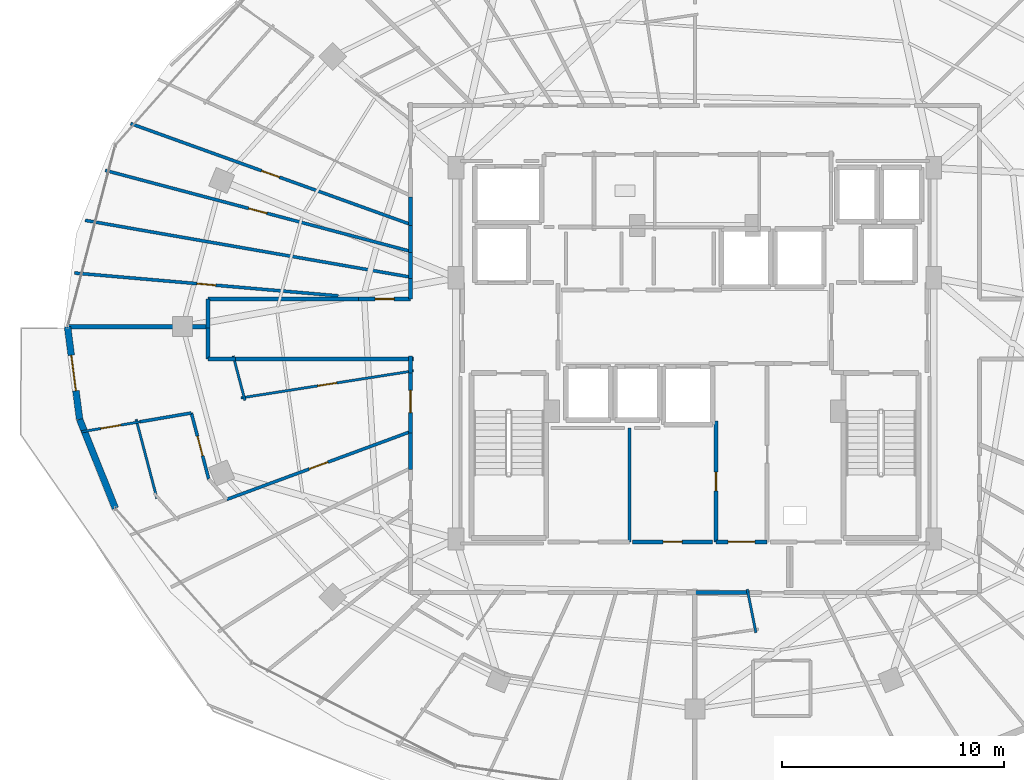
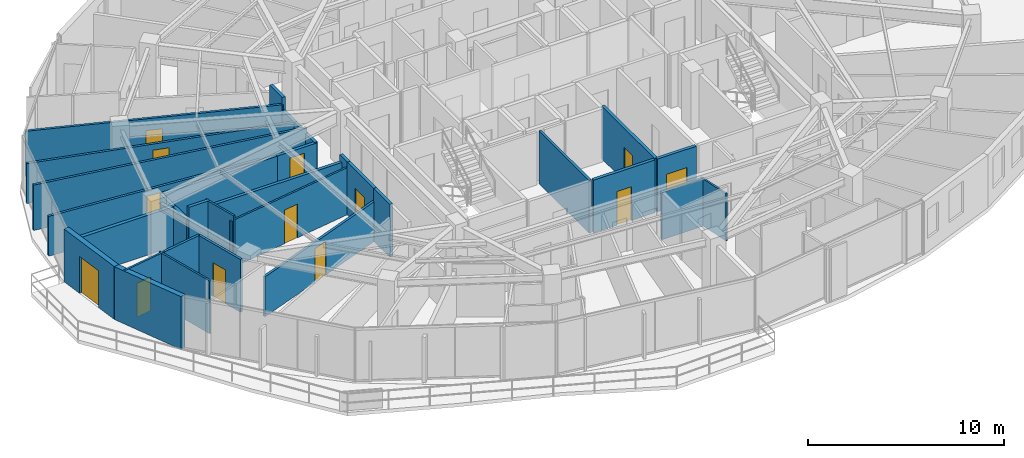
# One storey, part 25 of 33: 33 walls, 13 doors, 13 openings.
"""IFC4 building model written with IfcOpenShell, lengths in metres."""

from ifc_helpers import new_model, si_unit, direction, frame, frame_2d, origin, place, context, subcontext, project, spatial, rectangle, extrude, material, layer, layer_set, type_object, element, fill, save


model = new_model("IFC4")

# Units and contexts
model_context = context("Model", 3, precision=1e-05, world=origin(), true_north=direction((0.0, 1.0)))
body_context = subcontext(model_context, "Body", "Model", "MODEL_VIEW")
ifc_project = project(units=[si_unit("LENGTHUNIT", "METRE"), si_unit("AREAUNIT", "SQUARE_METRE"), si_unit("VOLUMEUNIT", "CUBIC_METRE"), si_unit("PLANEANGLEUNIT", "RADIAN"), si_unit("MASSUNIT", "GRAM", prefix="KILO")], contexts=[model_context])

# Site, building, storey
site_placement = place(None, origin())
site = spatial("IfcSite", under=ifc_project, at=site_placement, CompositionType="ELEMENT")
building_placement = place(site_placement, origin())
building = spatial("IfcBuilding", under=site, at=building_placement, Name="Vorneva Point Tower", CompositionType="ELEMENT")
storey_placement = place(building_placement, frame((0.0, 0.0, 200.10009765625)))
storey = spatial("IfcBuildingStorey", under=building, at=storey_placement, Name="L54", CompositionType="ELEMENT", Elevation=200.10009765625)

# Wall, opening, door
ifc_material_1 = material(Name="Precast concrete B50 (C40/50)", Category="concrete")
ifc_layer_1 = layer(ifc_material_1, 0.300048828125)
ifc_layer_set_1 = layer_set([ifc_layer_1], Name="Precast concrete B50 (C40/50)")
wall_type_1 = type_object("IfcWallType", Name="WL-EXT-300", PredefinedType="STANDARD", material=ifc_layer_set_1)
wall_1_placement = place(storey_placement, frame((9.77001953125, 26.0, 0.0), z_axis=(0.0, 0.0, 1.0), x_axis=(0.129147853268, -0.991625348605, 0.0)))
wall_1 = element("IfcWall", 1, at=wall_1_placement, inside=storey, type_object=wall_type_1, Name="L54 Pale-Metal Facade Spandrel Wall 09.1", PredefinedType="STANDARD", context=body_context, shape_type="SweptSolid", body=[
    extrude(rectangle(XDim=4.200439453125, YDim=0.300048828125, at=frame_2d((2.10009765625, 0.0))), origin(), (0.0, 0.0, 1.0), 3.289794921875),
])
opening_1_placement = place(wall_1_placement, frame((1.30029296875, 0.0, 0.0)))
opening_1 = element("IfcOpeningElement", 2, at=opening_1_placement, cuts=wall_1, Name="Opening BD-01", PredefinedType="OPENING", context=body_context, shape_type="SweptSolid", body=[
    extrude(rectangle(XDim=1.60009765625, YDim=2.300048828125, at=frame_2d((0.800048828125, 1.14990234375))), frame((0.0, 0.1650390625, 0.0), z_axis=(0.0, -1.0, 0.0), x_axis=(1.0, 0.0, 0.0)), (0.0, 0.0, 1.0), 0.329833984375),
])
ifc_material_2 = material(Name="Pale anodised aluminium", Category="aluminium")
door_type_1 = type_object("IfcDoorType", Name="DR-BAL-1600", OperationType="SLIDING_TO_LEFT", PredefinedType="DOOR", material=ifc_material_2)
door_1_placement = place(opening_1_placement, origin())
door_1 = element("IfcDoor", 3, at=door_1_placement, inside=storey, type_object=door_type_1, Name="L54 Balcony Terrace Access Door 09", OperationType="SLIDING_TO_LEFT", OverallHeight=2.300048828125, OverallWidth=1.60009765625, PredefinedType="DOOR", context=body_context, shape_type="SweptSolid", body=[
    extrude(rectangle(XDim=1.60009765625, YDim=2.300048828125, at=frame_2d((0.800048828125, 1.14990234375))), frame((0.0, 0.02490234375, 0.0), z_axis=(0.0, -1.0, 0.0), x_axis=(1.0, 0.0, 0.0)), (0.0, 0.0, 1.0), 0.050048828125),
])
fill(opening_1, door_1)

# Wall
wall_2_placement = place(storey_placement, frame((10.3125, 21.834716796875, 0.0), z_axis=(0.0, 0.0, 1.0), x_axis=(0.372268409848, -0.928125116043, 0.0)))
element("IfcWall", 4, at=wall_2_placement, inside=storey, type_object=wall_type_1, Name="L54 Pale-Metal Facade Spandrel Wall 09.2", PredefinedType="STANDARD", context=body_context, shape_type="SweptSolid", body=[
    extrude(rectangle(XDim=4.315185546875, YDim=0.300048828125, at=frame_2d((2.15771484375, 0.0))), origin(), (0.0, 0.0, 1.0), 3.289794921875),
])

# Wall, opening, door
ifc_material_3 = material(Name="Fire-rated acoustic gypsum stud partition", Category="gypsum")
ifc_layer_2 = layer(ifc_material_3, 0.110107421875)
ifc_layer_set_2 = layer_set([ifc_layer_2], Name="Fire-rated acoustic gypsum stud partition")
wall_type_2 = type_object("IfcWallType", Name="WL-PART-110", PredefinedType="PARTITIONING", material=ifc_layer_set_2)
wall_3_placement = place(storey_placement, frame((25.33837890625, 24.0146484375, 0.0), z_axis=(0.0, 0.0, 1.0), x_axis=(-0.987940229144, -0.154835731144, 0.0)))
wall_3 = element("IfcWall", 5, at=wall_3_placement, inside=storey, type_object=wall_type_2, Name="L54 Interior Partition 102", PredefinedType="PARTITIONING", context=body_context, shape_type="SweptSolid", body=[
    extrude(rectangle(XDim=7.85546875, YDim=0.110107421875, at=frame_2d((3.927734375, 0.0))), origin(), (0.0, 0.0, 1.0), 2.935791015625),
])
opening_2_placement = place(wall_3_placement, frame((3.502685546875, 0.0, 0.0)))
opening_2 = element("IfcOpeningElement", 6, at=opening_2_placement, cuts=wall_3, Name="Opening ID-02", PredefinedType="OPENING", context=body_context, shape_type="SweptSolid", body=[
    extrude(rectangle(XDim=0.85009765625, YDim=2.10009765625, at=frame_2d((0.425048828125, 1.050048828125))), frame((0.0, 0.06982421875, 0.0), z_axis=(0.0, -1.0, 0.0), x_axis=(1.0, 0.0, 0.0)), (0.0, 0.0, 1.0), 0.139892578125),
])
ifc_material_4 = material(Name="Engineered oak fire-rated door leaf", Category="wood")
door_type_2 = type_object("IfcDoorType", Name="DR-BATH-850", OperationType="NOTDEFINED", PredefinedType="DOOR", material=ifc_material_4)
door_2_placement = place(opening_2_placement, origin())
door_2 = element("IfcDoor", 7, at=door_2_placement, inside=storey, type_object=door_type_2, Name="L54 Door Living and Dining Room L54-03 / Bathroom L54-03", OperationType="SINGLE_SWING_LEFT", OverallHeight=2.10009765625, OverallWidth=0.85009765625, PredefinedType="DOOR", context=body_context, shape_type="SweptSolid", body=[
    extrude(rectangle(XDim=0.85009765625, YDim=2.10009765625, at=frame_2d((0.425048828125, 1.050048828125))), frame((0.0, 0.02490234375, 0.0), z_axis=(0.0, -1.0, 0.0), x_axis=(1.0, 0.0, 0.0)), (0.0, 0.0, 1.0), 0.050048828125),
])
fill(opening_2, door_2)

# Wall
wall_4_placement = place(storey_placement, frame((17.751708984375, 22.6845703125, 0.0), z_axis=(0.0, 0.0, 1.0), x_axis=(-0.254429402158, 0.967091350038, 0.0)))
element("IfcWall", 8, at=wall_4_placement, inside=storey, type_object=wall_type_2, Name="L54 Interior Partition 103", PredefinedType="PARTITIONING", context=body_context, shape_type="SweptSolid", body=[
    extrude(rectangle(XDim=2.06884765625, YDim=0.110107421875, at=frame_2d((1.034423828125, 0.0))), origin(), (0.0, 0.0, 1.0), 3.289794921875),
])

# Wall, opening, door
wall_5_placement = place(storey_placement, frame((10.39404296875, 21.271484375, 0.0), z_axis=(0.0, 0.0, 1.0), x_axis=(0.985656128296, 0.168766100722, 0.0)))
wall_5 = element("IfcWall", 9, at=wall_5_placement, inside=storey, type_object=wall_type_2, Name="L54 Interior Partition 104", PredefinedType="PARTITIONING", context=body_context, shape_type="SweptSolid", body=[
    extrude(rectangle(XDim=2.67333984375, YDim=0.110107421875, at=frame_2d((1.336669921875, 0.0))), origin(), (0.0, 0.0, 1.0), 3.289794921875),
])
opening_3_placement = place(wall_5_placement, frame((0.88671875, 0.0, 0.0)))
opening_3 = element("IfcOpeningElement", 10, at=opening_3_placement, cuts=wall_5, Name="Opening ID-01", PredefinedType="OPENING", context=body_context, shape_type="SweptSolid", body=[
    extrude(rectangle(XDim=0.89990234375, YDim=2.10009765625, at=frame_2d((0.449951171875, 1.050048828125))), frame((0.0, 0.06982421875, 0.0), z_axis=(0.0, -1.0, 0.0), x_axis=(1.0, 0.0, 0.0)), (0.0, 0.0, 1.0), 0.139892578125),
])
door_type_3 = type_object("IfcDoorType", Name="DR-ROOM-900", OperationType="NOTDEFINED", PredefinedType="DOOR", material=ifc_material_4)
door_3_placement = place(opening_3_placement, origin())
door_3 = element("IfcDoor", 11, at=door_3_placement, inside=storey, type_object=door_type_3, Name="L54 Door Living and Dining Room L54-03 / Kitchen L54-03", OperationType="SINGLE_SWING_RIGHT", OverallHeight=2.10009765625, OverallWidth=0.89990234375, PredefinedType="DOOR", context=body_context, shape_type="SweptSolid", body=[
    extrude(rectangle(XDim=0.89990234375, YDim=2.10009765625, at=frame_2d((0.449951171875, 1.050048828125))), frame((0.0, 0.02490234375, 0.0), z_axis=(0.0, -1.0, 0.0), x_axis=(1.0, 0.0, 0.0)), (0.0, 0.0, 1.0), 0.050048828125),
])
fill(opening_3, door_3)

# Walls
wall_6_placement = place(storey_placement, frame((13.79248046875, 18.2705078125, 0.0), z_axis=(0.0, 0.0, 1.0), x_axis=(-0.254271540361, 0.967132867688, 0.0)))
element("IfcWall", 12, at=wall_6_placement, inside=storey, type_object=wall_type_2, Name="L54 Interior Partition 110", PredefinedType="PARTITIONING", context=body_context, shape_type="SweptSolid", body=[
    extrude(rectangle(XDim=3.68505859375, YDim=0.110107421875, at=frame_2d((1.842529296875, 0.0))), origin(), (0.0, 0.0, 1.0), 3.289794921875),
])
wall_7_placement = place(storey_placement, frame((40.357666015625, 14.187255859375, 0.0), z_axis=(0.0, 0.0, 1.0), x_axis=(0.195313900905, -0.980740781304, 0.0)))
element("IfcWall", 13, at=wall_7_placement, inside=storey, type_object=wall_type_2, Name="L54 Interior Partition 134", PredefinedType="PARTITIONING", context=body_context, shape_type="SweptSolid", body=[
    extrude(rectangle(XDim=1.989990234375, YDim=0.110107421875, at=frame_2d((0.9951171875, 0.0))), origin(), (0.0, 0.0, 1.0), 2.935791015625),
])
ifc_layer_3 = layer(ifc_material_3, 0.139892578125)
ifc_layer_set_3 = layer_set([ifc_layer_3], Name="Fire-rated acoustic gypsum stud partition")
wall_type_3 = type_object("IfcWallType", Name="WL-PART-140", PredefinedType="PARTITIONING", material=ifc_layer_set_3)
wall_8_placement = place(storey_placement, frame((35.050048828125, 16.320068359375, 0.0), z_axis=(0.0, 0.0, 1.0), x_axis=(0.0, 1.0, 0.0)))
element("IfcWall", 14, at=wall_8_placement, inside=storey, type_object=wall_type_3, Name="L54 Interior Partition 026", PredefinedType="PARTITIONING", context=body_context, shape_type="SweptSolid", body=[
    extrude(rectangle(XDim=5.1298828125, YDim=0.139892578125, at=frame_2d((2.56494140625, 0.0))), origin(), (0.0, 0.0, 1.0), 3.289794921875),
])

# Wall, opening, door
wall_9_placement = place(storey_placement, frame((12.60888671875, 35.14111328125, 0.0), z_axis=(0.0, 0.0, 1.0), x_axis=(0.940877411069, -0.338747246985, 0.0)))
wall_9 = element("IfcWall", 15, at=wall_9_placement, inside=storey, type_object=wall_type_3, Name="L54 Interior Partition 097", PredefinedType="PARTITIONING", context=body_context, shape_type="SweptSolid", body=[
    extrude(rectangle(XDim=13.38232421875, YDim=0.139892578125, at=frame_2d((6.691162109375, 0.0))), origin(), (0.0, 0.0, 1.0), 2.823974609375),
])
opening_4_placement = place(wall_9_placement, frame((6.26611328125, 0.0, 0.0)))
opening_4 = element("IfcOpeningElement", 16, at=opening_4_placement, cuts=wall_9, Name="Opening ID-02", PredefinedType="OPENING", context=body_context, shape_type="SweptSolid", body=[
    extrude(rectangle(XDim=0.85009765625, YDim=2.10009765625, at=frame_2d((0.425048828125, 1.050048828125))), frame((0.0, 0.0849609375, 0.0), z_axis=(0.0, -1.0, 0.0), x_axis=(1.0, 0.0, 0.0)), (0.0, 0.0, 1.0), 0.169677734375),
])
door_4_placement = place(opening_4_placement, origin())
door_4 = element("IfcDoor", 17, at=door_4_placement, inside=storey, type_object=door_type_2, Name="L54 Access Door Master Bedroom L54-02.1", OperationType="SINGLE_SWING_LEFT", OverallHeight=2.10009765625, OverallWidth=0.85009765625, PredefinedType="DOOR", context=body_context, shape_type="SweptSolid", body=[
    extrude(rectangle(XDim=0.85009765625, YDim=2.10009765625, at=frame_2d((0.425048828125, 1.050048828125))), frame((0.0, 0.02490234375, 0.0), z_axis=(0.0, -1.0, 0.0), x_axis=(1.0, 0.0, 0.0)), (0.0, 0.0, 1.0), 0.050048828125),
])
fill(opening_4, door_4)

wall_10_placement = place(storey_placement, frame((11.465087890625, 33.035888671875, 0.0), z_axis=(0.0, 0.0, 1.0), x_axis=(0.966598137313, -0.256296782934, 0.0)))
wall_10 = element("IfcWall", 18, at=wall_10_placement, inside=storey, type_object=wall_type_3, Name="L54 Interior Partition 098", PredefinedType="PARTITIONING", context=body_context, shape_type="SweptSolid", body=[
    extrude(rectangle(XDim=14.20947265625, YDim=0.139892578125, at=frame_2d((7.104736328125, 0.0))), origin(), (0.0, 0.0, 1.0), 2.48193359375),
])
opening_5_placement = place(wall_10_placement, frame((6.6796875, 0.0, 0.0)))
opening_5 = element("IfcOpeningElement", 19, at=opening_5_placement, cuts=wall_10, Name="Opening ID-02", PredefinedType="OPENING", context=body_context, shape_type="SweptSolid", body=[
    extrude(rectangle(XDim=0.85009765625, YDim=2.10009765625, at=frame_2d((0.425048828125, 1.050048828125))), frame((0.0, 0.0849609375, 0.0), z_axis=(0.0, -1.0, 0.0), x_axis=(1.0, 0.0, 0.0)), (0.0, 0.0, 1.0), 0.169677734375),
])
door_5_placement = place(opening_5_placement, origin())
door_5 = element("IfcDoor", 20, at=door_5_placement, inside=storey, type_object=door_type_2, Name="L54 Access Door Bedroom L54-02.2", OperationType="SINGLE_SWING_RIGHT", OverallHeight=2.10009765625, OverallWidth=0.85009765625, PredefinedType="DOOR", context=body_context, shape_type="SweptSolid", body=[
    extrude(rectangle(XDim=0.85009765625, YDim=2.10009765625, at=frame_2d((0.425048828125, 1.050048828125))), frame((0.0, 0.02490234375, 0.0), z_axis=(0.0, -1.0, 0.0), x_axis=(1.0, 0.0, 0.0)), (0.0, 0.0, 1.0), 0.050048828125),
])
fill(opening_5, door_5)

# Wall
wall_11_placement = place(storey_placement, frame((10.56494140625, 30.7880859375, 0.0), z_axis=(0.0, 0.0, 1.0), x_axis=(0.985109541297, -0.171927867563, 0.0)))
element("IfcWall", 21, at=wall_11_placement, inside=storey, type_object=wall_type_3, Name="L54 Interior Partition 099", PredefinedType="PARTITIONING", context=body_context, shape_type="SweptSolid", body=[
    extrude(rectangle(XDim=14.856201171875, YDim=0.139892578125, at=frame_2d((7.42822265625, 0.0))), origin(), (0.0, 0.0, 1.0), 2.823974609375),
])

# Wall, opening, door
wall_12_placement = place(storey_placement, frame((10.0859375, 28.41796875, 0.0), z_axis=(0.0, 0.0, 1.0), x_axis=(0.996267232338, -0.08632266081, 0.0)))
wall_12 = element("IfcWall", 22, at=wall_12_placement, inside=storey, type_object=wall_type_3, Name="L54 Interior Partition 100", PredefinedType="PARTITIONING", context=body_context, shape_type="SweptSolid", body=[
    extrude(rectangle(XDim=11.90966796875, YDim=0.139892578125, at=frame_2d((5.954833984375, 0.0))), origin(), (0.0, 0.0, 1.0), 2.48193359375),
])
opening_6_placement = place(wall_12_placement, frame((5.52978515625, 0.0, 0.0)))
opening_6 = element("IfcOpeningElement", 23, at=opening_6_placement, cuts=wall_12, Name="Opening ID-02", PredefinedType="OPENING", context=body_context, shape_type="SweptSolid", body=[
    extrude(rectangle(XDim=0.85009765625, YDim=2.10009765625, at=frame_2d((0.425048828125, 1.050048828125))), frame((0.0, 0.0849609375, 0.0), z_axis=(0.0, -1.0, 0.0), x_axis=(1.0, 0.0, 0.0)), (0.0, 0.0, 1.0), 0.169677734375),
])
door_6_placement = place(opening_6_placement, origin())
door_6 = element("IfcDoor", 24, at=door_6_placement, inside=storey, type_object=door_type_2, Name="L54 Access Door Bedroom L54-02.4", OperationType="SINGLE_SWING_LEFT", OverallHeight=2.10009765625, OverallWidth=0.85009765625, PredefinedType="DOOR", context=body_context, shape_type="SweptSolid", body=[
    extrude(rectangle(XDim=0.85009765625, YDim=2.10009765625, at=frame_2d((0.425048828125, 1.050048828125))), frame((0.0, 0.02490234375, 0.0), z_axis=(0.0, -1.0, 0.0), x_axis=(1.0, 0.0, 0.0)), (0.0, 0.0, 1.0), 0.050048828125),
])
fill(opening_6, door_6)

wall_13_placement = place(storey_placement, frame((15.341064453125, 22.118896484375, 0.0), z_axis=(0.0, 0.0, 1.0), x_axis=(0.254462015144, -0.967082769389, 0.0)))
wall_13 = element("IfcWall", 25, at=wall_13_placement, inside=storey, type_object=wall_type_3, Name="L54 Interior Partition 105", PredefinedType="PARTITIONING", context=body_context, shape_type="SweptSolid", body=[
    extrude(rectangle(XDim=3.072998046875, YDim=0.139892578125, at=frame_2d((1.53662109375, 0.0))), origin(), (0.0, 0.0, 1.0), 3.289794921875),
])
opening_7_placement = place(wall_13_placement, frame((1.086669921875, 0.0, 0.0)))
opening_7 = element("IfcOpeningElement", 26, at=opening_7_placement, cuts=wall_13, Name="Opening ID-01", PredefinedType="OPENING", context=body_context, shape_type="SweptSolid", body=[
    extrude(rectangle(XDim=0.89990234375, YDim=2.10009765625, at=frame_2d((0.449951171875, 1.050048828125))), frame((0.0, 0.0849609375, 0.0), z_axis=(0.0, -1.0, 0.0), x_axis=(1.0, 0.0, 0.0)), (0.0, 0.0, 1.0), 0.169677734375),
])
door_7_placement = place(opening_7_placement, origin())
door_7 = element("IfcDoor", 27, at=door_7_placement, inside=storey, type_object=door_type_3, Name="L54 Door Living and Dining Room L54-03 / Study Room L54-03", OperationType="SINGLE_SWING_LEFT", OverallHeight=2.10009765625, OverallWidth=0.89990234375, PredefinedType="DOOR", context=body_context, shape_type="SweptSolid", body=[
    extrude(rectangle(XDim=0.89990234375, YDim=2.10009765625, at=frame_2d((0.449951171875, 1.050048828125))), frame((0.0, 0.02490234375, 0.0), z_axis=(0.0, -1.0, 0.0), x_axis=(1.0, 0.0, 0.0)), (0.0, 0.0, 1.0), 0.050048828125),
])
fill(opening_7, door_7)

# Wall
wall_14_placement = place(storey_placement, frame((13.029052734375, 21.72265625, 0.0), z_axis=(0.0, 0.0, 1.0), x_axis=(0.985629682191, 0.16892048302, 0.0)))
element("IfcWall", 28, at=wall_14_placement, inside=storey, type_object=wall_type_3, Name="L54 Interior Partition 107", PredefinedType="PARTITIONING", context=body_context, shape_type="SweptSolid", body=[
    extrude(rectangle(XDim=2.345703125, YDim=0.139892578125, at=frame_2d((1.1728515625, 0.0))), origin(), (0.0, 0.0, 1.0), 3.289794921875),
])

# Wall, opening, door
wall_15_placement = place(storey_placement, frame((16.93408203125, 18.22802734375, 0.0), z_axis=(0.0, 0.0, 1.0), x_axis=(0.938168899516, 0.34617786755, 0.0)))
wall_15 = element("IfcWall", 29, at=wall_15_placement, inside=storey, type_object=wall_type_3, Name="L54 Interior Partition 108", PredefinedType="PARTITIONING", context=body_context, shape_type="SweptSolid", body=[
    extrude(rectangle(XDim=8.810546875, YDim=0.139892578125, at=frame_2d((4.4052734375, 0.0))), origin(), (0.0, 0.0, 1.0), 2.48193359375),
])
opening_8_placement = place(wall_15_placement, frame((3.955322265625, 0.0, 0.0)))
opening_8 = element("IfcOpeningElement", 30, at=opening_8_placement, cuts=wall_15, Name="Opening ID-01", PredefinedType="OPENING", context=body_context, shape_type="SweptSolid", body=[
    extrude(rectangle(XDim=0.89990234375, YDim=2.10009765625, at=frame_2d((0.449951171875, 1.050048828125))), frame((0.0, 0.0849609375, 0.0), z_axis=(0.0, -1.0, 0.0), x_axis=(1.0, 0.0, 0.0)), (0.0, 0.0, 1.0), 0.169677734375),
])
door_8_placement = place(opening_8_placement, origin())
door_8 = element("IfcDoor", 31, at=door_8_placement, inside=storey, type_object=door_type_3, Name="L54 Door Living and Dining Room L54-03 / Master Bedroom L54-03.1", OperationType="SINGLE_SWING_RIGHT", OverallHeight=2.10009765625, OverallWidth=0.89990234375, PredefinedType="DOOR", context=body_context, shape_type="SweptSolid", body=[
    extrude(rectangle(XDim=0.89990234375, YDim=2.10009765625, at=frame_2d((0.449951171875, 1.050048828125))), frame((0.0, 0.02490234375, 0.0), z_axis=(0.0, -1.0, 0.0), x_axis=(1.0, 0.0, 0.0)), (0.0, 0.0, 1.0), 0.050048828125),
])
fill(opening_8, door_8)

ifc_material_5 = material(Name="Autoclaved aerated concrete blockwork", Category="masonry")
ifc_layer_4 = layer(ifc_material_5, 0.179931640625)
ifc_layer_set_4 = layer_set([ifc_layer_4], Name="Autoclaved aerated concrete blockwork")
wall_type_4 = type_object("IfcWallType", Name="WL-PART-180", PredefinedType="PARTITIONING", material=ifc_layer_set_4)
wall_16_placement = place(storey_placement, frame((38.949951171875, 21.7548828125, 0.0), z_axis=(0.0, 0.0, 1.0), x_axis=(0.0, -1.0, 0.0)))
wall_16 = element("IfcWall", 32, at=wall_16_placement, inside=storey, type_object=wall_type_4, Name="L54 Interior Partition 015", PredefinedType="PARTITIONING", context=body_context, shape_type="SweptSolid", body=[
    extrude(rectangle(XDim=5.434814453125, YDim=0.179931640625, at=frame_2d((2.71728515625, 0.0))), origin(), (0.0, 0.0, 1.0), 3.289794921875),
])
opening_9_placement = place(wall_16_placement, frame((2.29248046875, 0.0, 0.0)))
opening_9 = element("IfcOpeningElement", 33, at=opening_9_placement, cuts=wall_16, Name="Opening ID-02", PredefinedType="OPENING", context=body_context, shape_type="SweptSolid", body=[
    extrude(rectangle(XDim=0.85009765625, YDim=2.10009765625, at=frame_2d((0.425048828125, 1.050048828125))), frame((0.0, 0.10498046875, 0.0), z_axis=(0.0, -1.0, 0.0), x_axis=(1.0, 0.0, 0.0)), (0.0, 0.0, 1.0), 0.209716796875),
])
door_9_placement = place(opening_9_placement, origin())
door_9 = element("IfcDoor", 34, at=door_9_placement, inside=storey, type_object=door_type_2, Name="L54 Door Core Service Lobby / Tenant Equipment Store", OperationType="SINGLE_SWING_RIGHT", OverallHeight=2.10009765625, OverallWidth=0.85009765625, PredefinedType="DOOR", context=body_context, shape_type="SweptSolid", body=[
    extrude(rectangle(XDim=0.85009765625, YDim=2.10009765625, at=frame_2d((0.425048828125, 1.050048828125))), frame((0.0, 0.02490234375, 0.0), z_axis=(0.0, -1.0, 0.0), x_axis=(1.0, 0.0, 0.0)), (0.0, 0.0, 1.0), 0.050048828125),
])
fill(opening_9, door_9)

wall_17_placement = place(storey_placement, frame((38.949951171875, 16.320068359375, 0.0), z_axis=(0.0, 0.0, 1.0), x_axis=(1.0, 0.0, 0.0)))
wall_17 = element("IfcWall", 35, at=wall_17_placement, inside=storey, type_object=wall_type_4, Name="L54 Interior Partition 016", PredefinedType="PARTITIONING", context=body_context, shape_type="SweptSolid", body=[
    extrude(rectangle(XDim=2.300048828125, YDim=0.179931640625, at=frame_2d((1.14990234375, 0.0))), origin(), (0.0, 0.0, 1.0), 3.289794921875),
])
opening_10_placement = place(wall_17_placement, frame((0.550048828125, 0.0, 0.0)))
opening_10 = element("IfcOpeningElement", 36, at=opening_10_placement, cuts=wall_17, Name="Opening FD-02", PredefinedType="OPENING", context=body_context, shape_type="SweptSolid", body=[
    extrude(rectangle(XDim=1.199951171875, YDim=2.14990234375, at=frame_2d((0.60009765625, 1.074951171875))), frame((0.0, 0.10498046875, 0.0), z_axis=(0.0, -1.0, 0.0), x_axis=(1.0, 0.0, 0.0)), (0.0, 0.0, 1.0), 0.209716796875),
])
ifc_material_6 = material(Name="Fire-rated powder-coated steel", Category="steel")
door_type_4 = type_object("IfcDoorType", Name="DR-FFL-1200", OperationType="NOTDEFINED", PredefinedType="DOOR", material=ifc_material_6)
door_10_placement = place(opening_10_placement, origin())
door_10 = element("IfcDoor", 37, at=door_10_placement, inside=storey, type_object=door_type_4, Name="L54 Door Core Service Lobby / L54 Circulation Corridor", OperationType="SINGLE_SWING_LEFT", OverallHeight=2.14990234375, OverallWidth=1.199951171875, PredefinedType="DOOR", context=body_context, shape_type="SweptSolid", body=[
    extrude(rectangle(XDim=1.199951171875, YDim=2.14990234375, at=frame_2d((0.60009765625, 1.074951171875))), frame((0.0, 0.02490234375, 0.0), z_axis=(0.0, -1.0, 0.0), x_axis=(1.0, 0.0, 0.0)), (0.0, 0.0, 1.0), 0.050048828125),
])
fill(opening_10, door_10)

wall_18_placement = place(storey_placement, frame((35.199951171875, 16.320068359375, 0.0), z_axis=(0.0, 0.0, 1.0), x_axis=(1.0, 0.0, 0.0)))
wall_18 = element("IfcWall", 38, at=wall_18_placement, inside=storey, type_object=wall_type_4, Name="L54 Interior Partition 028", PredefinedType="PARTITIONING", context=body_context, shape_type="SweptSolid", body=[
    extrude(rectangle(XDim=3.60009765625, YDim=0.179931640625, at=frame_2d((1.800048828125, 0.0))), origin(), (0.0, 0.0, 1.0), 3.289794921875),
])
opening_11_placement = place(wall_18_placement, frame((1.375, 0.0, 0.0)))
opening_11 = element("IfcOpeningElement", 39, at=opening_11_placement, cuts=wall_18, Name="Opening ID-02", PredefinedType="OPENING", context=body_context, shape_type="SweptSolid", body=[
    extrude(rectangle(XDim=0.85009765625, YDim=2.10009765625, at=frame_2d((0.425048828125, 1.050048828125))), frame((0.0, 0.10498046875, 0.0), z_axis=(0.0, -1.0, 0.0), x_axis=(1.0, 0.0, 0.0)), (0.0, 0.0, 1.0), 0.209716796875),
])
door_11_placement = place(opening_11_placement, origin())
door_11 = element("IfcDoor", 40, at=door_11_placement, inside=storey, type_object=door_type_2, Name="L54 Door Tenant Equipment Store / L54 Circulation Corridor", OperationType="SINGLE_SWING_LEFT", OverallHeight=2.10009765625, OverallWidth=0.85009765625, PredefinedType="DOOR", context=body_context, shape_type="SweptSolid", body=[
    extrude(rectangle(XDim=0.85009765625, YDim=2.10009765625, at=frame_2d((0.425048828125, 1.050048828125))), frame((0.0, 0.02490234375, 0.0), z_axis=(0.0, -1.0, 0.0), x_axis=(1.0, 0.0, 0.0)), (0.0, 0.0, 1.0), 0.050048828125),
])
fill(opening_11, door_11)

# Walls
wall_19_placement = place(storey_placement, frame((25.199951171875, 31.841064453125, 0.0), z_axis=(0.0, 0.0, 1.0), x_axis=(0.0, -1.0, 0.0)))
element("IfcWall", 41, at=wall_19_placement, inside=storey, type_object=wall_type_4, Name="L54 Interior Partition 038", PredefinedType="PARTITIONING", context=body_context, shape_type="SweptSolid", body=[
    extrude(rectangle(XDim=1.29296875, YDim=0.179931640625, at=frame_2d((0.646484375, 0.0))), origin(), (0.0, 0.0, 1.0), 3.289794921875),
])
wall_20_placement = place(storey_placement, frame((25.199951171875, 30.548095703125, 0.0), z_axis=(0.0, 0.0, 1.0), x_axis=(0.0, -1.0, 0.0)))
element("IfcWall", 42, at=wall_20_placement, inside=storey, type_object=wall_type_4, Name="L54 Interior Partition 039", PredefinedType="PARTITIONING", context=body_context, shape_type="SweptSolid", body=[
    extrude(rectangle(XDim=1.214111328125, YDim=0.179931640625, at=frame_2d((0.60693359375, 0.0))), origin(), (0.0, 0.0, 1.0), 2.48193359375),
])
wall_21_placement = place(storey_placement, frame((25.199951171875, 29.333984375, 0.0), z_axis=(0.0, 0.0, 1.0), x_axis=(0.0, -1.0, 0.0)))
element("IfcWall", 43, at=wall_21_placement, inside=storey, type_object=wall_type_4, Name="L54 Interior Partition 040", PredefinedType="PARTITIONING", context=body_context, shape_type="SweptSolid", body=[
    extrude(rectangle(XDim=1.159912109375, YDim=0.179931640625, at=frame_2d((0.580078125, 0.0))), origin(), (0.0, 0.0, 1.0), 2.48193359375),
])
wall_22_placement = place(storey_placement, frame((25.199951171875, 28.174072265625, 0.0), z_axis=(0.0, 0.0, 1.0), x_axis=(0.0, -1.0, 0.0)))
element("IfcWall", 44, at=wall_22_placement, inside=storey, type_object=wall_type_4, Name="L54 Interior Partition 041", PredefinedType="PARTITIONING", context=body_context, shape_type="SweptSolid", body=[
    extrude(rectangle(XDim=0.924072265625, YDim=0.179931640625, at=frame_2d((0.4619140625, 0.0))), origin(), (0.0, 0.0, 1.0), 2.48193359375),
])

# Wall, opening, door
wall_23_placement = place(storey_placement, frame((25.199951171875, 27.25, 0.0), z_axis=(0.0, 0.0, 1.0), x_axis=(-1.0, 0.0, 0.0)))
wall_23 = element("IfcWall", 45, at=wall_23_placement, inside=storey, type_object=wall_type_4, Name="L54 Interior Partition 042", PredefinedType="PARTITIONING", context=body_context, shape_type="SweptSolid", body=[
    extrude(rectangle(XDim=2.327880859375, YDim=0.179931640625, at=frame_2d((1.1640625, 0.0))), origin(), (0.0, 0.0, 1.0), 2.48193359375),
])
opening_12_placement = place(wall_23_placement, frame((0.739013671875, 0.0, 0.0)))
opening_12 = element("IfcOpeningElement", 46, at=opening_12_placement, cuts=wall_23, Name="Opening ID-02", PredefinedType="OPENING", context=body_context, shape_type="SweptSolid", body=[
    extrude(rectangle(XDim=0.85009765625, YDim=2.10009765625, at=frame_2d((0.425048828125, 1.050048828125))), frame((0.0, 0.10498046875, 0.0), z_axis=(0.0, -1.0, 0.0), x_axis=(1.0, 0.0, 0.0)), (0.0, 0.0, 1.0), 0.209716796875),
])
door_12_placement = place(opening_12_placement, origin())
door_12 = element("IfcDoor", 47, at=door_12_placement, inside=storey, type_object=door_type_2, Name="L54 Access Door L54 Circulation Corridor", OperationType="SINGLE_SWING_LEFT", OverallHeight=2.10009765625, OverallWidth=0.85009765625, PredefinedType="DOOR", context=body_context, shape_type="SweptSolid", body=[
    extrude(rectangle(XDim=0.85009765625, YDim=2.10009765625, at=frame_2d((0.425048828125, 1.050048828125))), frame((0.0, 0.02490234375, 0.0), z_axis=(0.0, -1.0, 0.0), x_axis=(1.0, 0.0, 0.0)), (0.0, 0.0, 1.0), 0.050048828125),
])
fill(opening_12, door_12)

# Walls
wall_24_placement = place(storey_placement, frame((16.10009765625, 27.25, 0.0), z_axis=(0.0, 0.0, 1.0), x_axis=(0.0, -1.0, 0.0)))
element("IfcWall", 48, at=wall_24_placement, inside=storey, type_object=wall_type_4, Name="L54 Interior Partition 043", PredefinedType="PARTITIONING", context=body_context, shape_type="SweptSolid", body=[
    extrude(rectangle(XDim=1.31005859375, YDim=0.179931640625, at=frame_2d((0.655029296875, 0.0))), origin(), (0.0, 0.0, 1.0), 2.48193359375),
])
wall_25_placement = place(storey_placement, frame((22.8720703125, 27.25, 0.0), z_axis=(0.0, 0.0, 1.0), x_axis=(-1.0, 0.0, 0.0)))
element("IfcWall", 49, at=wall_25_placement, inside=storey, type_object=wall_type_4, Name="L54 Interior Partition 044", PredefinedType="PARTITIONING", context=body_context, shape_type="SweptSolid", body=[
    extrude(rectangle(XDim=6.77197265625, YDim=0.179931640625, at=frame_2d((3.385986328125, 0.0))), origin(), (0.0, 0.0, 1.0), 2.48193359375),
])
wall_26_placement = place(storey_placement, frame((16.10009765625, 25.93994140625, 0.0), z_axis=(0.0, 0.0, 1.0), x_axis=(0.0, -1.0, 0.0)))
element("IfcWall", 50, at=wall_26_placement, inside=storey, type_object=wall_type_4, Name="L54 Interior Partition 045", PredefinedType="PARTITIONING", context=body_context, shape_type="SweptSolid", body=[
    extrude(rectangle(XDim=1.389892578125, YDim=0.179931640625, at=frame_2d((0.69482421875, 0.0))), origin(), (0.0, 0.0, 1.0), 2.48193359375),
])
wall_27_placement = place(storey_placement, frame((16.10009765625, 24.550048828125, 0.0), z_axis=(0.0, 0.0, 1.0), x_axis=(1.0, 0.0, 0.0)))
element("IfcWall", 51, at=wall_27_placement, inside=storey, type_object=wall_type_4, Name="L54 Interior Partition 046", PredefinedType="PARTITIONING", context=body_context, shape_type="SweptSolid", body=[
    extrude(rectangle(XDim=1.222900390625, YDim=0.179931640625, at=frame_2d((0.611328125, 0.0))), origin(), (0.0, 0.0, 1.0), 3.289794921875),
])

# Wall, opening, door
wall_28_placement = place(storey_placement, frame((25.199951171875, 24.052978515625, 0.0), z_axis=(0.0, 0.0, 1.0), x_axis=(0.0, -1.0, 0.0)))
wall_28 = element("IfcWall", 52, at=wall_28_placement, inside=storey, type_object=wall_type_4, Name="L54 Interior Partition 047", PredefinedType="PARTITIONING", context=body_context, shape_type="SweptSolid", body=[
    extrude(rectangle(XDim=2.8388671875, YDim=0.179931640625, at=frame_2d((1.41943359375, 0.0))), origin(), (0.0, 0.0, 1.0), 3.289794921875),
])
opening_13_placement = place(wall_28_placement, frame((0.91943359375, 0.0, 0.0)))
opening_13 = element("IfcOpeningElement", 53, at=opening_13_placement, cuts=wall_28, Name="Opening UD-01", PredefinedType="OPENING", context=body_context, shape_type="SweptSolid", body=[
    extrude(rectangle(XDim=1.0, YDim=2.14990234375, at=frame_2d((0.5, 1.074951171875))), frame((0.0, 0.10498046875, 0.0), z_axis=(0.0, -1.0, 0.0), x_axis=(1.0, 0.0, 0.0)), (0.0, 0.0, 1.0), 0.209716796875),
])
door_type_5 = type_object("IfcDoorType", Name="DR-UNIT-1000", OperationType="NOTDEFINED", PredefinedType="DOOR", material=ifc_material_4)
door_13_placement = place(opening_13_placement, origin())
door_13 = element("IfcDoor", 54, at=door_13_placement, inside=storey, type_object=door_type_5, Name="L54 Door L54 Circulation Corridor / Living and Dining Room L54-03", OperationType="SINGLE_SWING_RIGHT", OverallHeight=2.14990234375, OverallWidth=1.0, PredefinedType="DOOR", context=body_context, shape_type="SweptSolid", body=[
    extrude(rectangle(XDim=1.0, YDim=2.14990234375, at=frame_2d((0.5, 1.074951171875))), frame((0.0, 0.02490234375, 0.0), z_axis=(0.0, -1.0, 0.0), x_axis=(1.0, 0.0, 0.0)), (0.0, 0.0, 1.0), 0.050048828125),
])
fill(opening_13, door_13)

# Walls
wall_29_placement = place(storey_placement, frame((17.18310546875, 24.550048828125, 0.0), z_axis=(0.0, 0.0, 1.0), x_axis=(1.0, 0.0, 0.0)))
element("IfcWall", 55, at=wall_29_placement, inside=storey, type_object=wall_type_4, Name="L54 Interior Partition 048", PredefinedType="PARTITIONING", context=body_context, shape_type="SweptSolid", body=[
    extrude(rectangle(XDim=8.156982421875, YDim=0.179931640625, at=frame_2d((4.07861328125, 0.0))), origin(), (0.0, 0.0, 1.0), 2.935791015625),
])
wall_30_placement = place(storey_placement, frame((25.199951171875, 24.68994140625, 0.0), z_axis=(0.0, 0.0, 1.0), x_axis=(0.0, -1.0, 0.0)))
element("IfcWall", 56, at=wall_30_placement, inside=storey, type_object=wall_type_4, Name="L54 Interior Partition 049", PredefinedType="PARTITIONING", context=body_context, shape_type="SweptSolid", body=[
    extrude(rectangle(XDim=0.77685546875, YDim=0.179931640625, at=frame_2d((0.388427734375, 0.0))), origin(), (0.0, 0.0, 1.0), 3.289794921875),
])
wall_31_placement = place(storey_placement, frame((25.199951171875, 21.214111328125, 0.0), z_axis=(0.0, 0.0, 1.0), x_axis=(0.0, -1.0, 0.0)))
element("IfcWall", 57, at=wall_31_placement, inside=storey, type_object=wall_type_4, Name="L54 Interior Partition 050", PredefinedType="PARTITIONING", context=body_context, shape_type="SweptSolid", body=[
    extrude(rectangle(XDim=1.64501953125, YDim=0.179931640625, at=frame_2d((0.822509765625, 0.0))), origin(), (0.0, 0.0, 1.0), 3.289794921875),
])
wall_32_placement = place(storey_placement, frame((37.919921875, 14.050048828125, 0.0), z_axis=(0.0, 0.0, 1.0), x_axis=(1.0, 0.0, 0.0)))
element("IfcWall", 58, at=wall_32_placement, inside=storey, type_object=wall_type_4, Name="L54 Interior Partition 061", PredefinedType="PARTITIONING", context=body_context, shape_type="SweptSolid", body=[
    extrude(rectangle(XDim=2.545166015625, YDim=0.179931640625, at=frame_2d((1.2724609375, 0.0))), origin(), (0.0, 0.0, 1.0), 2.935791015625),
])
ifc_layer_5 = layer(ifc_material_5, 0.199951171875)
ifc_layer_set_5 = layer_set([ifc_layer_5], Name="Autoclaved aerated concrete blockwork")
wall_type_5 = type_object("IfcWallType", Name="WL-PART-200", PredefinedType="PARTITIONING", material=ifc_layer_set_5)
wall_33_placement = place(storey_placement, frame((9.77099609375, 26.0, 0.0), z_axis=(0.0, 0.0, 1.0), x_axis=(1.0, 0.0, 0.0)))
element("IfcWall", 59, at=wall_33_placement, inside=storey, type_object=wall_type_5, Name="L54 Interior Partition 101", PredefinedType="PARTITIONING", context=body_context, shape_type="SweptSolid", body=[
    extrude(rectangle(XDim=6.3291015625, YDim=0.199951171875, at=frame_2d((3.16455078125, 0.0))), origin(), (0.0, 0.0, 1.0), 2.48193359375),
])

save(model, "model.ifc")
